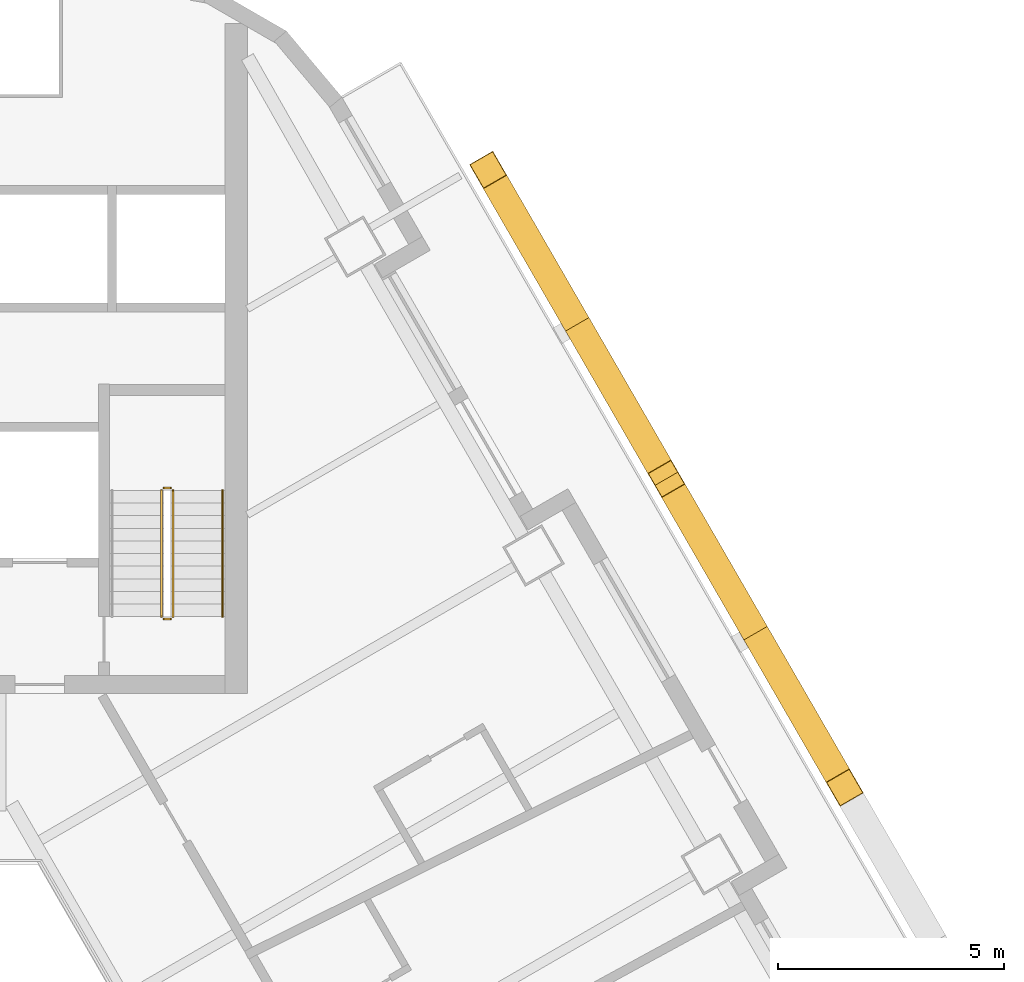
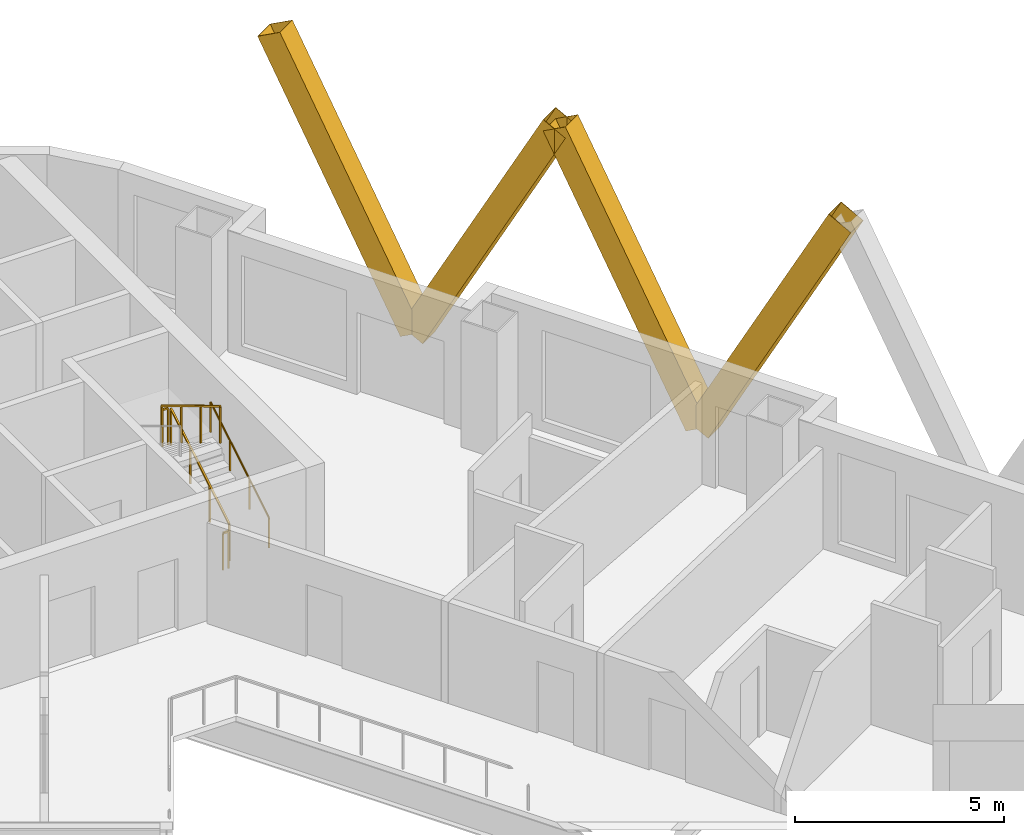
# One storey, part 13 of 13: 5 railings, 4 shading devices.
"""IFC4 building model written with IfcOpenShell, lengths in metres."""

from ifc_helpers import new_model, si_unit, direction, frame, origin, origin_2d, place, context, subcontext, project, spatial, rectangle, hollow_rectangle, circle, extrude, material, material_profile, profile_set, type_object, element, save


model = new_model("IFC4")

# Units and contexts
model_context = context("Model", 3, precision=1e-05, world=origin(), true_north=direction((0.0, 1.0)))
body_context = subcontext(model_context, "Body", "Model", "MODEL_VIEW")
ifc_project = project(units=[si_unit("LENGTHUNIT", "METRE"), si_unit("AREAUNIT", "SQUARE_METRE"), si_unit("VOLUMEUNIT", "CUBIC_METRE"), si_unit("PLANEANGLEUNIT", "RADIAN"), si_unit("MASSUNIT", "GRAM", prefix="KILO")], contexts=[model_context])

# Site, building, storey
site_placement = place(None, origin())
site = spatial("IfcSite", under=ifc_project, at=site_placement, CompositionType="ELEMENT")
building_placement = place(site_placement, origin())
building = spatial("IfcBuilding", under=site, at=building_placement, Name="Apuvela Tower Hotel", CompositionType="ELEMENT")
storey_placement = place(building_placement, frame((0.0, 0.0, 83.5)))
storey = spatial("IfcBuildingStorey", under=building, at=storey_placement, Name="L18", CompositionType="ELEMENT", Elevation=83.5)

# Railings
ifc_material_1 = material(Name="Steel S275 balustrade", Category="steel")
railing_type_1 = type_object("IfcRailingType", Name="COR-GUARD-1100", PredefinedType="GUARDRAIL", material=ifc_material_1)
railing_1_placement = place(storey_placement, frame((3.85009765625, 14.60009765625, 0.168212890625)))
element("IfcRailing", 1, at=railing_1_placement, inside=storey, type_object=railing_type_1, Name="L18 ST1 stair guard 1", PredefinedType="GUARDRAIL", context=body_context, shape_type="SweptSolid", body=[
    extrude(rectangle(XDim=0.048095703125, YDim=0.048095703125, at=origin_2d()), frame((0.0, 0.0, 1.076171875), z_axis=(0.0, 0.857222391501, 0.514946377315), x_axis=(-1.0, 0.0, 0.0)), (0.0, 0.0, 1.0), 3.26611328125),
    extrude(rectangle(XDim=0.0419921875, YDim=0.0419921875, at=origin_2d()), origin(), (0.0, 0.0, 1.0), 1.052001953125),
    extrude(rectangle(XDim=0.0419921875, YDim=0.0419921875, at=origin_2d()), frame((0.0, 0.933349609375, 0.560546875)), (0.0, 0.0, 1.0), 1.052001953125),
    extrude(rectangle(XDim=0.0419921875, YDim=0.0419921875, at=origin_2d()), frame((0.0, 1.866455078125, 1.121337890625)), (0.0, 0.0, 1.0), 1.052001953125),
    extrude(rectangle(XDim=0.0419921875, YDim=0.0419921875, at=origin_2d()), frame((0.0, 2.7998046875, 1.681884765625)), (0.0, 0.0, 1.0), 1.052001953125),
])
railing_2_placement = place(storey_placement, frame((3.800048828125, 17.449951171875, 1.85009765625)))
element("IfcRailing", 2, at=railing_2_placement, inside=storey, type_object=railing_type_1, Name="L18 ST1 stair guard 2", PredefinedType="GUARDRAIL", context=body_context, shape_type="SweptSolid", body=[
    extrude(rectangle(XDim=0.048095703125, YDim=0.048095703125, at=origin_2d()), frame((0.0, 0.0, 1.076171875), z_axis=(-1.0, 0.0, 0.0), x_axis=(0.0, -1.0, 0.0)), (0.0, 0.0, 1.0), 0.150146484375),
    extrude(rectangle(XDim=0.0419921875, YDim=0.0419921875, at=origin_2d()), origin(), (0.0, 0.0, 1.0), 1.052001953125),
    extrude(rectangle(XDim=0.0419921875, YDim=0.0419921875, at=origin_2d()), frame((-0.150146484375, 0.0, 0.0)), (0.0, 0.0, 1.0), 1.052001953125),
])
railing_3_placement = place(storey_placement, frame((3.60009765625, 17.39990234375, 2.01806640625)))
element("IfcRailing", 3, at=railing_3_placement, inside=storey, type_object=railing_type_1, Name="L18 ST1 stair guard 3", PredefinedType="GUARDRAIL", context=body_context, shape_type="SweptSolid", body=[
    extrude(rectangle(XDim=0.048095703125, YDim=0.048095703125, at=origin_2d()), frame((0.0, 0.0, 1.076171875), z_axis=(0.0, -0.857222391501, 0.514946377315), x_axis=(1.0, 0.0, 0.0)), (0.0, 0.0, 1.0), 3.26611328125),
    extrude(rectangle(XDim=0.0419921875, YDim=0.0419921875, at=origin_2d()), origin(), (0.0, 0.0, 1.0), 1.052001953125),
    extrude(rectangle(XDim=0.0419921875, YDim=0.0419921875, at=origin_2d()), frame((0.0, -0.933349609375, 0.560546875)), (0.0, 0.0, 1.0), 1.052001953125),
    extrude(rectangle(XDim=0.0419921875, YDim=0.0419921875, at=origin_2d()), frame((0.0, -1.866455078125, 1.121337890625)), (0.0, 0.0, 1.0), 1.052001953125),
    extrude(rectangle(XDim=0.0419921875, YDim=0.0419921875, at=origin_2d()), frame((0.0, -2.7998046875, 1.681884765625)), (0.0, 0.0, 1.0), 1.052001953125),
])
railing_4_placement = place(storey_placement, frame((3.800048828125, 14.550048828125, 0.0)))
element("IfcRailing", 4, at=railing_4_placement, inside=storey, type_object=railing_type_1, Name="L18 ST1 stair guard 4", PredefinedType="GUARDRAIL", context=body_context, shape_type="SweptSolid", body=[
    extrude(rectangle(XDim=0.048095703125, YDim=0.048095703125, at=origin_2d()), frame((0.0, 0.0, 1.076171875), z_axis=(-1.0, 0.0, 0.0), x_axis=(0.0, -1.0, 0.0)), (0.0, 0.0, 1.0), 0.150146484375),
    extrude(rectangle(XDim=0.0419921875, YDim=0.0419921875, at=origin_2d()), origin(), (0.0, 0.0, 1.0), 1.052001953125),
    extrude(rectangle(XDim=0.0419921875, YDim=0.0419921875, at=origin_2d()), frame((-0.150146484375, 0.0, 0.0)), (0.0, 0.0, 1.0), 1.052001953125),
])
ifc_material_2 = material(Name="Stainless steel 316 handrail", Category="steel")
railing_type_2 = type_object("IfcRailingType", Name="COR-HANDRAIL-900", PredefinedType="HANDRAIL", material=ifc_material_2)
railing_5_placement = place(storey_placement, frame((4.949951171875, 14.60009765625, 0.168212890625)))
element("IfcRailing", 5, at=railing_5_placement, inside=storey, type_object=railing_type_2, Name="L18 ST1 stair handrail 1", PredefinedType="HANDRAIL", context=body_context, shape_type="SweptSolid", body=[
    extrude(circle(Radius=0.02392578125, at=origin_2d()), frame((0.0, 0.0, 0.8759765625), z_axis=(0.0, 0.857222391501, 0.514946377315), x_axis=(-1.0, 0.0, 0.0)), (0.0, 0.0, 1.0), 3.26611328125),
    extrude(rectangle(XDim=0.0419921875, YDim=0.0419921875, at=origin_2d()), origin(), (0.0, 0.0, 1.0), 0.851806640625),
    extrude(rectangle(XDim=0.0419921875, YDim=0.0419921875, at=origin_2d()), frame((0.0, 0.933349609375, 0.560546875)), (0.0, 0.0, 1.0), 0.851806640625),
    extrude(rectangle(XDim=0.0419921875, YDim=0.0419921875, at=origin_2d()), frame((0.0, 1.866455078125, 1.121337890625)), (0.0, 0.0, 1.0), 0.851806640625),
    extrude(rectangle(XDim=0.0419921875, YDim=0.0419921875, at=origin_2d()), frame((0.0, 2.7998046875, 1.681884765625)), (0.0, 0.0, 1.0), 0.851806640625),
])

# Shading devices
ifc_material_3 = material(Name="Aluminium 6063-T6, black anodised", Category="aluminium")
ifc_material_profile = material_profile(ifc_material_3, hollow_rectangle(XDim=0.60009765625, YDim=0.699951171875, WallThickness=0.011962890625, at=origin_2d()), Name="AL BOX 700x600x12")
ifc_profile_set = profile_set([ifc_material_profile], Name="Aluminium 6063-T6, black anodised")
shading_device_type = type_object("IfcShadingDeviceType", Name="ENV-FIN-700x600", PredefinedType="USERDEFINED", material=ifc_profile_set)
for number, where, z_axis, x_axis, name in (
    (6, (16.757080078125, 14.23583984375, -0.10009765625), (0.235455039791, -0.407811621453, 0.882185131163), (0.866020906874, 0.500007788796, 0.0), "Lattice fin NE93"),
    (7, (16.757080078125, 14.23583984375, -0.10009765625), (-0.235457834389, 0.407787356937, 0.88219560175), (-0.866005453737, -0.500034552904, 0.0), "Lattice fin NE94"),
    (8, (12.80712890625, 21.077392578125, -0.10009765625), (0.235427548578, -0.407814415956, 0.882191176281), (0.866047669374, 0.499961432884, 0.0), "Lattice fin NE95"),
    (9, (12.80712890625, 21.077392578125, -0.10009765625), (-0.235455039791, 0.407811621453, 0.882185131163), (-0.866020906874, -0.500007788796, 0.0), "Lattice fin NE96"),
):
    element("IfcShadingDevice", number, at=place(storey_placement, frame(where, z_axis=z_axis, x_axis=x_axis)), inside=storey, type_object=shading_device_type, Name=name, ObjectType="FIN", PredefinedType="USERDEFINED", context=body_context, shape_type="SweptSolid", body=[
        extrude(hollow_rectangle(XDim=0.60009765625, YDim=0.699951171875, WallThickness=0.011962890625, at=origin_2d()), origin(), (0.0, 0.0, 1.0), 8.388427734375),
    ])

save(model, "model.ifc")
